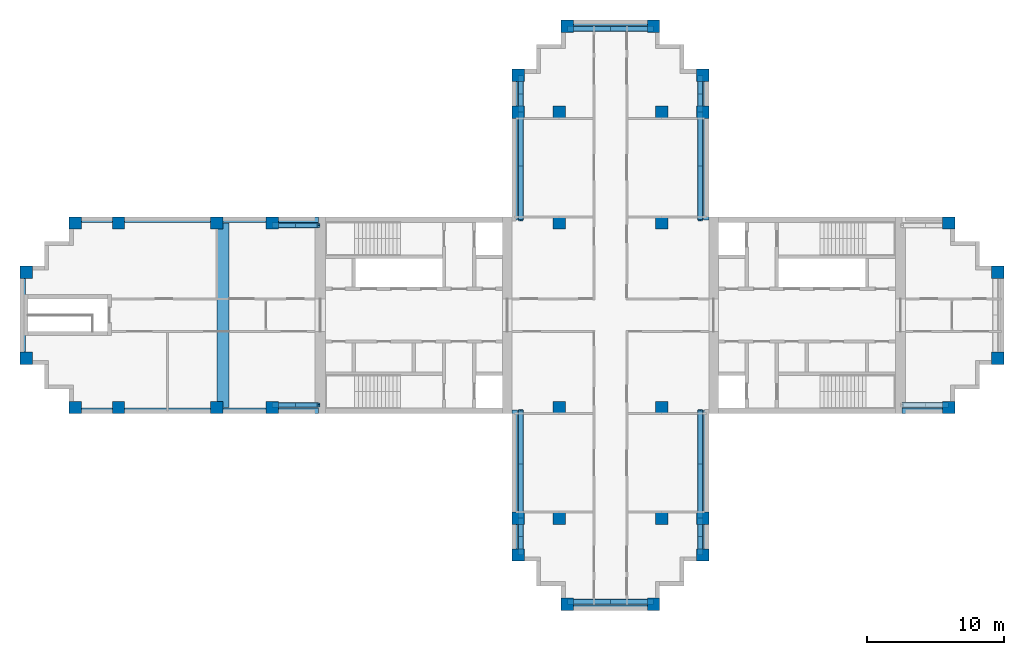
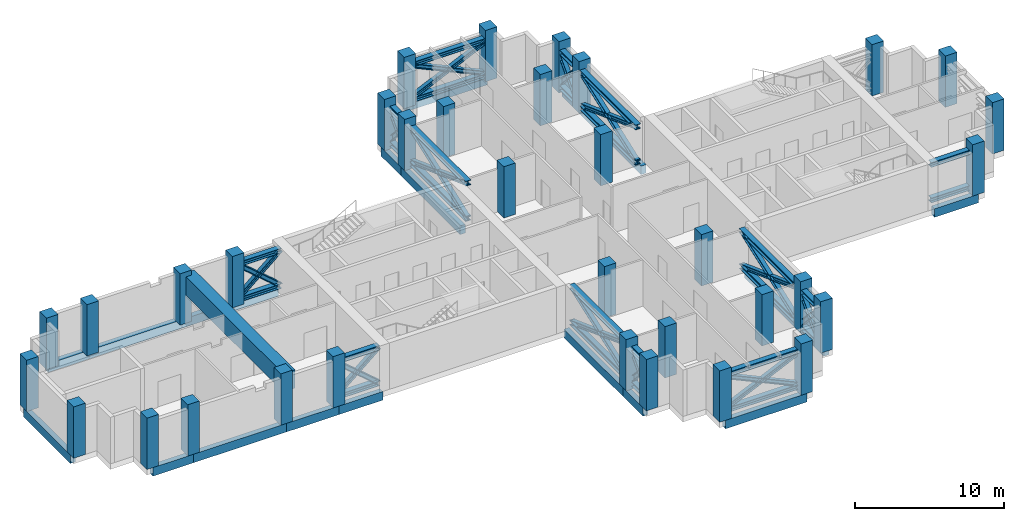
# One storey, part 1 of 8: 50 members, 34 columns, 21 beams.
"""IFC4 building model written with IfcOpenShell, lengths in metres."""

from ifc_helpers import new_model, si_unit, direction, frame, origin, origin_2d, place, context, subcontext, project, spatial, rectangle, i_section, extrude, material, material_profile, profile_set, type_object, element, save


model = new_model("IFC4")

# Units and contexts
model_context = context("Model", 3, precision=1e-05, world=origin(), true_north=direction((0.0, 1.0)))
body_context = subcontext(model_context, "Body", "Model", "MODEL_VIEW")
ifc_project = project(units=[si_unit("LENGTHUNIT", "METRE"), si_unit("AREAUNIT", "SQUARE_METRE"), si_unit("VOLUMEUNIT", "CUBIC_METRE"), si_unit("PLANEANGLEUNIT", "RADIAN"), si_unit("MASSUNIT", "GRAM", prefix="KILO")], contexts=[model_context])

# Site, building, storey
site_placement = place(None, origin())
site = spatial("IfcSite", under=ifc_project, at=site_placement, CompositionType="ELEMENT")
building_placement = place(site_placement, origin())
building = spatial("IfcBuilding", under=site, at=building_placement, Name="Fustian Cross Tower", CompositionType="ELEMENT")
storey_placement = place(building_placement, frame((0.0, 0.0, 194.699951171875)))
storey = spatial("IfcBuildingStorey", under=building, at=storey_placement, Name="L61", CompositionType="ELEMENT", Elevation=194.699951171875)

# Columns
ifc_material_1 = material(Name="Concrete C40/50", Category="concrete")
ifc_material_profile_1 = material_profile(ifc_material_1, rectangle(XDim=0.89990234375, YDim=0.89990234375, at=origin_2d()), Name="RC 900x900")
ifc_profile_set_1 = profile_set([ifc_material_profile_1], Name="Concrete C40/50")
column_type = type_object("IfcColumnType", Name="COLUMN RC 900x900 C40/50", PredefinedType="COLUMN", material=ifc_profile_set_1)
for number, where, z_axis, x_axis, name in (
    (1, (-42.75, -3.14990234375, 0.0), (0.0, 0.0, 1.0), (1.0, 0.0, 0.0), "COLUMN 001"),
    (2, (-42.75, 3.14990234375, 0.0), (0.0, 0.0, 1.0), (1.0, 0.0, 0.0), "COLUMN 002"),
    (3, (-39.14990234375, -6.75, 0.0), (0.0, 0.0, 1.0), (1.0, 0.0, 0.0), "COLUMN 003"),
    (4, (-39.14990234375, 6.75, 0.0), (0.0, 0.0, 1.0), (1.0, 0.0, 0.0), "COLUMN 004"),
    (5, (-36.0, -6.75, 0.0), (0.0, 0.0, 1.0), (1.0, 0.0, 0.0), "COLUMN 005"),
    (6, (-36.0, 6.75, 0.0), (0.0, 0.0, 1.0), (1.0, 0.0, 0.0), "COLUMN 006"),
    (7, (-28.800048828125, -6.75, 0.0), (0.0, 0.0, 1.0), (1.0, 0.0, 0.0), "COLUMN 007"),
    (8, (-28.800048828125, 6.75, 0.0), (0.0, 0.0, 1.0), (1.0, 0.0, 0.0), "COLUMN 010"),
    (9, (-24.75, -6.75, 0.0), (0.0, 0.0, 1.0), (1.0, 0.0, 0.0), "COLUMN 011"),
    (10, (-24.75, 6.75, 0.0), (0.0, 0.0, 1.0), (1.0, 0.0, 0.0), "COLUMN 012"),
    (11, (-6.75, -17.550048828125, 0.0), (0.0, 0.0, 1.0), (1.0, 0.0, 0.0), "COLUMN 017"),
    (12, (-6.75, -14.85009765625, 0.0), (0.0, 0.0, 1.0), (1.0, 0.0, 0.0), "COLUMN 018"),
    (13, (-6.75, 14.85009765625, 0.0), (0.0, 0.0, 1.0), (1.0, 0.0, 0.0), "COLUMN 019"),
    (14, (-6.75, 17.550048828125, 0.0), (0.0, 0.0, 1.0), (1.0, 0.0, 0.0), "COLUMN 020"),
    (15, (-3.75, -14.85009765625, 0.0), (0.0, 0.0, 1.0), (1.0, 0.0, 0.0), "COLUMN 025"),
    (16, (-3.75, -6.75, 0.0), (0.0, 0.0, 1.0), (1.0, 0.0, 0.0), "COLUMN 026"),
    (17, (-3.75, 6.75, 0.0), (0.0, 0.0, 1.0), (1.0, 0.0, 0.0), "COLUMN 027"),
    (18, (-3.75, 14.85009765625, 0.0), (0.0, 0.0, 1.0), (1.0, 0.0, 0.0), "COLUMN 028"),
    (19, (-3.14990234375, -21.14990234375, 0.0), (0.0, 0.0, 1.0), (1.0, 0.0, 0.0), "COLUMN 030"),
    (20, (-3.14990234375, 21.14990234375, 0.0), (0.0, 0.0, 1.0), (1.0, 0.0, 0.0), "COLUMN 031"),
    (21, (3.14990234375, -21.14990234375, 0.0), (0.0, 0.0, 1.0), (1.0, 0.0, 0.0), "COLUMN 034"),
    (22, (3.14990234375, 21.14990234375, 0.0), (0.0, 0.0, 1.0), (1.0, 0.0, 0.0), "COLUMN 035"),
    (23, (3.75, -14.85009765625, 0.0), (0.0, 0.0, 1.0), (1.0, 0.0, 0.0), "COLUMN 037"),
    (24, (3.75, -6.75, 0.0), (0.0, 0.0, 1.0), (1.0, 0.0, 0.0), "COLUMN 038"),
    (25, (3.75, 6.75, 0.0), (0.0, 0.0, 1.0), (1.0, 0.0, 0.0), "COLUMN 039"),
    (26, (3.75, 14.85009765625, 0.0), (0.0, 0.0, 1.0), (1.0, 0.0, 0.0), "COLUMN 040"),
    (27, (6.75, -17.550048828125, 0.0), (0.0, 0.0, 1.0), (1.0, 0.0, 0.0), "COLUMN 045"),
    (28, (6.75, -14.85009765625, 0.0), (0.0, 0.0, 1.0), (1.0, 0.0, 0.0), "COLUMN 046"),
    (29, (6.75, 14.85009765625, 0.0), (0.0, 0.0, 1.0), (1.0, 0.0, 0.0), "COLUMN 047"),
    (30, (6.75, 17.550048828125, 0.0), (0.0, 0.0, 1.0), (1.0, 0.0, 0.0), "COLUMN 048"),
    (31, (24.75, -6.75, 0.0), (0.0, 0.0, 1.0), (1.0, 0.0, 0.0), "COLUMN 053"),
    (32, (24.75, 6.75, 0.0), (0.0, 0.0, 1.0), (1.0, 0.0, 0.0), "COLUMN 054"),
    (33, (28.35009765625, -3.14990234375, 0.0), (0.0, 0.0, 1.0), (1.0, 0.0, 0.0), "COLUMN 056"),
    (34, (28.35009765625, 3.14990234375, 0.0), (0.0, 0.0, 1.0), (1.0, 0.0, 0.0), "COLUMN 057"),
):
    element("IfcColumn", number, at=place(storey_placement, frame(where, z_axis=z_axis, x_axis=x_axis)), inside=storey, type_object=column_type, Name=name, PredefinedType="COLUMN", context=body_context, shape_type="SweptSolid", body=[
        extrude(rectangle(XDim=0.89990234375, YDim=0.89990234375, at=origin_2d()), origin(), (0.0, 0.0, 1.0), 4.199951171875),
    ])

# Members
ifc_material_2 = material(Name="Steel S355", Category="steel")
ifc_material_profile_2 = material_profile(ifc_material_2, i_section(OverallWidth=0.314453125, OverallDepth=0.33984375, WebThickness=0.01904296875, FlangeThickness=0.031494140625, FilletRadius=0.01513671875, at=origin_2d()), Name="UC 305x305x198")
ifc_profile_set_2 = profile_set([ifc_material_profile_2], Name="Steel S355")
member_type_1 = type_object("IfcMemberType", Name="BELT TRUSS BRACE UC 305x305x198 S355", PredefinedType="BRACE", material=ifc_profile_set_2)
for number, where, z_axis, x_axis, name in (
    (35, (6.570068359375, 6.949951171875, 0.400146484375), (0.0, 0.938632007757, 0.344920213982), (-1.0, 0.0, 0.0), "BELT TRUSS BRACE L61-04X"),
    (36, (6.570068359375, 6.949951171875, 3.30322265625), (0.0, 0.938632007757, -0.344920213982), (-1.0, 0.0, 0.0), "BELT TRUSS BRACE L61-04Y"),
):
    element("IfcMember", number, at=place(storey_placement, frame(where, z_axis=z_axis, x_axis=x_axis)), inside=storey, type_object=member_type_1, Name=name, PredefinedType="BRACE", context=body_context, shape_type="SweptSolid", body=[
        extrude(i_section(OverallWidth=0.314453125, OverallDepth=0.33984375, WebThickness=0.01904296875, FlangeThickness=0.031494140625, FilletRadius=0.01513671875, at=origin_2d()), origin(), (0.0, 0.0, 1.0), 8.416748046875),
    ])
for number, where, z_axis, x_axis, name in (
    (37, (6.570068359375, 14.85009765625, 0.400146484375), (0.0, 0.681024859792, 0.732260295486), (-1.0, 0.0, 0.0), "BELT TRUSS BRACE L61-05X"),
    (38, (6.570068359375, 14.85009765625, 3.30322265625), (0.0, 0.681024859792, -0.732260295486), (-1.0, 0.0, 0.0), "BELT TRUSS BRACE L61-05Y"),
):
    element("IfcMember", number, at=place(storey_placement, frame(where, z_axis=z_axis, x_axis=x_axis)), inside=storey, type_object=member_type_1, Name=name, PredefinedType="BRACE", context=body_context, shape_type="SweptSolid", body=[
        extrude(i_section(OverallWidth=0.314453125, OverallDepth=0.33984375, WebThickness=0.01904296875, FlangeThickness=0.031494140625, FilletRadius=0.01513671875, at=origin_2d()), origin(), (0.0, 0.0, 1.0), 3.964599609375),
    ])
for number, where, z_axis, x_axis, name in (
    (39, (3.14990234375, 20.969970703125, 0.400146484375), (-0.908207488438, 0.0, 0.418520200163), (0.0, -1.0, 0.0), "BELT TRUSS BRACE L61-06X"),
    (40, (3.14990234375, 20.969970703125, 3.30322265625), (-0.908207488438, 0.0, -0.418520200163), (0.0, -1.0, 0.0), "BELT TRUSS BRACE L61-06Y"),
):
    element("IfcMember", number, at=place(storey_placement, frame(where, z_axis=z_axis, x_axis=x_axis)), inside=storey, type_object=member_type_1, Name=name, PredefinedType="BRACE", context=body_context, shape_type="SweptSolid", body=[
        extrude(i_section(OverallWidth=0.314453125, OverallDepth=0.33984375, WebThickness=0.01904296875, FlangeThickness=0.031494140625, FilletRadius=0.01513671875, at=origin_2d()), origin(), (0.0, 0.0, 1.0), 6.9365234375),
    ])
for number, where, z_axis, x_axis, name in (
    (41, (-6.570068359375, 17.550048828125, 0.400146484375), (0.0, -0.681024859792, 0.732260295486), (1.0, 0.0, 0.0), "BELT TRUSS BRACE L61-07X"),
    (42, (-6.570068359375, 17.550048828125, 3.30322265625), (0.0, -0.681024859792, -0.732260295486), (1.0, 0.0, 0.0), "BELT TRUSS BRACE L61-07Y"),
):
    element("IfcMember", number, at=place(storey_placement, frame(where, z_axis=z_axis, x_axis=x_axis)), inside=storey, type_object=member_type_1, Name=name, PredefinedType="BRACE", context=body_context, shape_type="SweptSolid", body=[
        extrude(i_section(OverallWidth=0.314453125, OverallDepth=0.33984375, WebThickness=0.01904296875, FlangeThickness=0.031494140625, FilletRadius=0.01513671875, at=origin_2d()), origin(), (0.0, 0.0, 1.0), 3.964599609375),
    ])
for number, where, z_axis, x_axis, name in (
    (43, (-6.570068359375, 14.85009765625, 0.400146484375), (0.0, -0.938632007757, 0.344920213982), (1.0, 0.0, 0.0), "BELT TRUSS BRACE L61-08X"),
    (44, (-6.570068359375, 14.85009765625, 3.30322265625), (0.0, -0.938632007757, -0.344920213982), (1.0, 0.0, 0.0), "BELT TRUSS BRACE L61-08Y"),
):
    element("IfcMember", number, at=place(storey_placement, frame(where, z_axis=z_axis, x_axis=x_axis)), inside=storey, type_object=member_type_1, Name=name, PredefinedType="BRACE", context=body_context, shape_type="SweptSolid", body=[
        extrude(i_section(OverallWidth=0.314453125, OverallDepth=0.33984375, WebThickness=0.01904296875, FlangeThickness=0.031494140625, FilletRadius=0.01513671875, at=origin_2d()), origin(), (0.0, 0.0, 1.0), 8.416748046875),
    ])
for number, where, z_axis, x_axis, name in (
    (45, (-21.35009765625, 6.570068359375, 0.400146484375), (-0.760484913175, 0.0, 0.649355601218), (0.0, -1.0, 0.0), "BELT TRUSS BRACE L61-09X"),
    (46, (-21.35009765625, 6.570068359375, 3.30322265625), (-0.760484913175, 0.0, -0.649355601218), (0.0, -1.0, 0.0), "BELT TRUSS BRACE L61-09Y"),
    (47, (-24.75, -6.570068359375, 0.400146484375), (0.760484913175, 0.0, 0.649355601218), (0.0, 1.0, 0.0), "BELT TRUSS BRACE L61-10X"),
    (48, (-24.75, -6.570068359375, 3.30322265625), (0.760484913175, 0.0, -0.649355601218), (0.0, 1.0, 0.0), "BELT TRUSS BRACE L61-10Y"),
):
    element("IfcMember", number, at=place(storey_placement, frame(where, z_axis=z_axis, x_axis=x_axis)), inside=storey, type_object=member_type_1, Name=name, PredefinedType="BRACE", context=body_context, shape_type="SweptSolid", body=[
        extrude(i_section(OverallWidth=0.314453125, OverallDepth=0.33984375, WebThickness=0.01904296875, FlangeThickness=0.031494140625, FilletRadius=0.01513671875, at=origin_2d()), origin(), (0.0, 0.0, 1.0), 4.470703125),
    ])
for number, where, z_axis, x_axis, name in (
    (49, (-6.570068359375, -6.949951171875, 0.400146484375), (0.0, -0.938632007757, 0.344920213982), (1.0, 0.0, 0.0), "BELT TRUSS BRACE L61-11X"),
    (50, (-6.570068359375, -6.949951171875, 3.30322265625), (0.0, -0.938632007757, -0.344920213982), (1.0, 0.0, 0.0), "BELT TRUSS BRACE L61-11Y"),
):
    element("IfcMember", number, at=place(storey_placement, frame(where, z_axis=z_axis, x_axis=x_axis)), inside=storey, type_object=member_type_1, Name=name, PredefinedType="BRACE", context=body_context, shape_type="SweptSolid", body=[
        extrude(i_section(OverallWidth=0.314453125, OverallDepth=0.33984375, WebThickness=0.01904296875, FlangeThickness=0.031494140625, FilletRadius=0.01513671875, at=origin_2d()), origin(), (0.0, 0.0, 1.0), 8.416748046875),
    ])
for number, where, z_axis, x_axis, name in (
    (51, (-6.570068359375, -14.85009765625, 0.400146484375), (0.0, -0.681024859792, 0.732260295486), (1.0, 0.0, 0.0), "BELT TRUSS BRACE L61-12X"),
    (52, (-6.570068359375, -14.85009765625, 3.30322265625), (0.0, -0.681024859792, -0.732260295486), (1.0, 0.0, 0.0), "BELT TRUSS BRACE L61-12Y"),
):
    element("IfcMember", number, at=place(storey_placement, frame(where, z_axis=z_axis, x_axis=x_axis)), inside=storey, type_object=member_type_1, Name=name, PredefinedType="BRACE", context=body_context, shape_type="SweptSolid", body=[
        extrude(i_section(OverallWidth=0.314453125, OverallDepth=0.33984375, WebThickness=0.01904296875, FlangeThickness=0.031494140625, FilletRadius=0.01513671875, at=origin_2d()), origin(), (0.0, 0.0, 1.0), 3.964599609375),
    ])
for number, where, z_axis, x_axis, name in (
    (53, (-3.14990234375, -20.969970703125, 0.400146484375), (0.908207488438, 0.0, 0.418520200163), (0.0, 1.0, 0.0), "BELT TRUSS BRACE L61-13X"),
    (54, (-3.14990234375, -20.969970703125, 3.30322265625), (0.908207488438, 0.0, -0.418520200163), (0.0, 1.0, 0.0), "BELT TRUSS BRACE L61-13Y"),
):
    element("IfcMember", number, at=place(storey_placement, frame(where, z_axis=z_axis, x_axis=x_axis)), inside=storey, type_object=member_type_1, Name=name, PredefinedType="BRACE", context=body_context, shape_type="SweptSolid", body=[
        extrude(i_section(OverallWidth=0.314453125, OverallDepth=0.33984375, WebThickness=0.01904296875, FlangeThickness=0.031494140625, FilletRadius=0.01513671875, at=origin_2d()), origin(), (0.0, 0.0, 1.0), 6.9365234375),
    ])
for number, where, z_axis, x_axis, name in (
    (55, (6.570068359375, -17.550048828125, 0.400146484375), (0.0, 0.681024859792, 0.732260295486), (-1.0, 0.0, 0.0), "BELT TRUSS BRACE L61-14X"),
    (56, (6.570068359375, -17.550048828125, 3.30322265625), (0.0, 0.681024859792, -0.732260295486), (-1.0, 0.0, 0.0), "BELT TRUSS BRACE L61-14Y"),
):
    element("IfcMember", number, at=place(storey_placement, frame(where, z_axis=z_axis, x_axis=x_axis)), inside=storey, type_object=member_type_1, Name=name, PredefinedType="BRACE", context=body_context, shape_type="SweptSolid", body=[
        extrude(i_section(OverallWidth=0.314453125, OverallDepth=0.33984375, WebThickness=0.01904296875, FlangeThickness=0.031494140625, FilletRadius=0.01513671875, at=origin_2d()), origin(), (0.0, 0.0, 1.0), 3.964599609375),
    ])
for number, where, z_axis, x_axis, name in (
    (57, (6.570068359375, -14.85009765625, 0.400146484375), (0.0, 0.938632007757, 0.344920213982), (-1.0, 0.0, 0.0), "BELT TRUSS BRACE L61-15X"),
    (58, (6.570068359375, -14.85009765625, 3.30322265625), (0.0, 0.938632007757, -0.344920213982), (-1.0, 0.0, 0.0), "BELT TRUSS BRACE L61-15Y"),
):
    element("IfcMember", number, at=place(storey_placement, frame(where, z_axis=z_axis, x_axis=x_axis)), inside=storey, type_object=member_type_1, Name=name, PredefinedType="BRACE", context=body_context, shape_type="SweptSolid", body=[
        extrude(i_section(OverallWidth=0.314453125, OverallDepth=0.33984375, WebThickness=0.01904296875, FlangeThickness=0.031494140625, FilletRadius=0.01513671875, at=origin_2d()), origin(), (0.0, 0.0, 1.0), 8.416748046875),
    ])
ifc_material_3 = material(Name="Steel S355", Category="steel")
ifc_material_profile_3 = material_profile(ifc_material_3, i_section(OverallWidth=0.39892578125, OverallDepth=0.3935546875, WebThickness=0.022705078125, FlangeThickness=0.03662109375, FilletRadius=0.01513671875, at=origin_2d()), Name="UC 356x406x287")
ifc_profile_set_3 = profile_set([ifc_material_profile_3], Name="Steel S355")
member_type_2 = type_object("IfcMemberType", Name="BELT TRUSS CHORD UC 356x406x287 S355", PredefinedType="CHORD", material=ifc_profile_set_3)
for number, where, z_axis, x_axis, name in (
    (59, (21.35009765625, -6.570068359375, 3.30322265625), (1.0, 0.0, 0.0), (0.0, 1.0, 0.0), "BELT TRUSS CHORD L61-01"),
    (60, (21.35009765625, -6.570068359375, 0.400146484375), (1.0, 0.0, 0.0), (0.0, 1.0, 0.0), "BELT TRUSS CHORD L61-01"),
):
    element("IfcMember", number, at=place(storey_placement, frame(where, z_axis=z_axis, x_axis=x_axis)), inside=storey, type_object=member_type_2, Name=name, PredefinedType="CHORD", context=body_context, shape_type="SweptSolid", body=[
        extrude(i_section(OverallWidth=0.39892578125, OverallDepth=0.3935546875, WebThickness=0.022705078125, FlangeThickness=0.03662109375, FilletRadius=0.01513671875, at=origin_2d()), origin(), (0.0, 0.0, 1.0), 3.39990234375),
    ])
for number, where, z_axis, x_axis, name in (
    (61, (6.570068359375, 6.949951171875, 3.30322265625), (0.0, 1.0, 0.0), (-1.0, 0.0, 0.0), "BELT TRUSS CHORD L61-04"),
    (62, (6.570068359375, 6.949951171875, 0.400146484375), (0.0, 1.0, 0.0), (-1.0, 0.0, 0.0), "BELT TRUSS CHORD L61-04"),
):
    element("IfcMember", number, at=place(storey_placement, frame(where, z_axis=z_axis, x_axis=x_axis)), inside=storey, type_object=member_type_2, Name=name, PredefinedType="CHORD", context=body_context, shape_type="SweptSolid", body=[
        extrude(i_section(OverallWidth=0.39892578125, OverallDepth=0.3935546875, WebThickness=0.022705078125, FlangeThickness=0.03662109375, FilletRadius=0.01513671875, at=origin_2d()), origin(), (0.0, 0.0, 1.0), 7.900146484375),
    ])
for number, where, z_axis, x_axis, name in (
    (63, (6.570068359375, 14.85009765625, 3.30322265625), (0.0, 1.0, 0.0), (-1.0, 0.0, 0.0), "BELT TRUSS CHORD L61-05"),
    (64, (6.570068359375, 14.85009765625, 0.400146484375), (0.0, 1.0, 0.0), (-1.0, 0.0, 0.0), "BELT TRUSS CHORD L61-05"),
):
    element("IfcMember", number, at=place(storey_placement, frame(where, z_axis=z_axis, x_axis=x_axis)), inside=storey, type_object=member_type_2, Name=name, PredefinedType="CHORD", context=body_context, shape_type="SweptSolid", body=[
        extrude(i_section(OverallWidth=0.39892578125, OverallDepth=0.3935546875, WebThickness=0.022705078125, FlangeThickness=0.03662109375, FilletRadius=0.01513671875, at=origin_2d()), origin(), (0.0, 0.0, 1.0), 2.699951171875),
    ])
for number, where, z_axis, x_axis, name in (
    (65, (3.14990234375, 20.969970703125, 3.30322265625), (-1.0, 0.0, 0.0), (0.0, -1.0, 0.0), "BELT TRUSS CHORD L61-06"),
    (66, (3.14990234375, 20.969970703125, 0.400146484375), (-1.0, 0.0, 0.0), (0.0, -1.0, 0.0), "BELT TRUSS CHORD L61-06"),
):
    element("IfcMember", number, at=place(storey_placement, frame(where, z_axis=z_axis, x_axis=x_axis)), inside=storey, type_object=member_type_2, Name=name, PredefinedType="CHORD", context=body_context, shape_type="SweptSolid", body=[
        extrude(i_section(OverallWidth=0.39892578125, OverallDepth=0.3935546875, WebThickness=0.022705078125, FlangeThickness=0.03662109375, FilletRadius=0.01513671875, at=origin_2d()), origin(), (0.0, 0.0, 1.0), 6.2998046875),
    ])
for number, where, z_axis, x_axis, name in (
    (67, (-6.570068359375, 17.550048828125, 3.30322265625), (0.0, -1.0, 0.0), (1.0, 0.0, 0.0), "BELT TRUSS CHORD L61-07"),
    (68, (-6.570068359375, 17.550048828125, 0.400146484375), (0.0, -1.0, 0.0), (1.0, 0.0, 0.0), "BELT TRUSS CHORD L61-07"),
):
    element("IfcMember", number, at=place(storey_placement, frame(where, z_axis=z_axis, x_axis=x_axis)), inside=storey, type_object=member_type_2, Name=name, PredefinedType="CHORD", context=body_context, shape_type="SweptSolid", body=[
        extrude(i_section(OverallWidth=0.39892578125, OverallDepth=0.3935546875, WebThickness=0.022705078125, FlangeThickness=0.03662109375, FilletRadius=0.01513671875, at=origin_2d()), origin(), (0.0, 0.0, 1.0), 2.699951171875),
    ])
for number, where, z_axis, x_axis, name in (
    (69, (-6.570068359375, 14.85009765625, 3.30322265625), (0.0, -1.0, 0.0), (1.0, 0.0, 0.0), "BELT TRUSS CHORD L61-08"),
    (70, (-6.570068359375, 14.85009765625, 0.400146484375), (0.0, -1.0, 0.0), (1.0, 0.0, 0.0), "BELT TRUSS CHORD L61-08"),
):
    element("IfcMember", number, at=place(storey_placement, frame(where, z_axis=z_axis, x_axis=x_axis)), inside=storey, type_object=member_type_2, Name=name, PredefinedType="CHORD", context=body_context, shape_type="SweptSolid", body=[
        extrude(i_section(OverallWidth=0.39892578125, OverallDepth=0.3935546875, WebThickness=0.022705078125, FlangeThickness=0.03662109375, FilletRadius=0.01513671875, at=origin_2d()), origin(), (0.0, 0.0, 1.0), 7.900146484375),
    ])
for number, where, z_axis, x_axis, name in (
    (71, (-21.35009765625, 6.570068359375, 3.30322265625), (-1.0, 0.0, 0.0), (0.0, -1.0, 0.0), "BELT TRUSS CHORD L61-09"),
    (72, (-21.35009765625, 6.570068359375, 0.400146484375), (-1.0, 0.0, 0.0), (0.0, -1.0, 0.0), "BELT TRUSS CHORD L61-09"),
    (73, (-24.75, -6.570068359375, 3.30322265625), (1.0, 0.0, 0.0), (0.0, 1.0, 0.0), "BELT TRUSS CHORD L61-10"),
    (74, (-24.75, -6.570068359375, 0.400146484375), (1.0, 0.0, 0.0), (0.0, 1.0, 0.0), "BELT TRUSS CHORD L61-10"),
):
    element("IfcMember", number, at=place(storey_placement, frame(where, z_axis=z_axis, x_axis=x_axis)), inside=storey, type_object=member_type_2, Name=name, PredefinedType="CHORD", context=body_context, shape_type="SweptSolid", body=[
        extrude(i_section(OverallWidth=0.39892578125, OverallDepth=0.3935546875, WebThickness=0.022705078125, FlangeThickness=0.03662109375, FilletRadius=0.01513671875, at=origin_2d()), origin(), (0.0, 0.0, 1.0), 3.39990234375),
    ])
for number, where, z_axis, x_axis, name in (
    (75, (-6.570068359375, -6.949951171875, 3.30322265625), (0.0, -1.0, 0.0), (1.0, 0.0, 0.0), "BELT TRUSS CHORD L61-11"),
    (76, (-6.570068359375, -6.949951171875, 0.400146484375), (0.0, -1.0, 0.0), (1.0, 0.0, 0.0), "BELT TRUSS CHORD L61-11"),
):
    element("IfcMember", number, at=place(storey_placement, frame(where, z_axis=z_axis, x_axis=x_axis)), inside=storey, type_object=member_type_2, Name=name, PredefinedType="CHORD", context=body_context, shape_type="SweptSolid", body=[
        extrude(i_section(OverallWidth=0.39892578125, OverallDepth=0.3935546875, WebThickness=0.022705078125, FlangeThickness=0.03662109375, FilletRadius=0.01513671875, at=origin_2d()), origin(), (0.0, 0.0, 1.0), 7.900146484375),
    ])
for number, where, z_axis, x_axis, name in (
    (77, (-6.570068359375, -14.85009765625, 3.30322265625), (0.0, -1.0, 0.0), (1.0, 0.0, 0.0), "BELT TRUSS CHORD L61-12"),
    (78, (-6.570068359375, -14.85009765625, 0.400146484375), (0.0, -1.0, 0.0), (1.0, 0.0, 0.0), "BELT TRUSS CHORD L61-12"),
):
    element("IfcMember", number, at=place(storey_placement, frame(where, z_axis=z_axis, x_axis=x_axis)), inside=storey, type_object=member_type_2, Name=name, PredefinedType="CHORD", context=body_context, shape_type="SweptSolid", body=[
        extrude(i_section(OverallWidth=0.39892578125, OverallDepth=0.3935546875, WebThickness=0.022705078125, FlangeThickness=0.03662109375, FilletRadius=0.01513671875, at=origin_2d()), origin(), (0.0, 0.0, 1.0), 2.699951171875),
    ])
for number, where, z_axis, x_axis, name in (
    (79, (-3.14990234375, -20.969970703125, 3.30322265625), (1.0, 0.0, 0.0), (0.0, 1.0, 0.0), "BELT TRUSS CHORD L61-13"),
    (80, (-3.14990234375, -20.969970703125, 0.400146484375), (1.0, 0.0, 0.0), (0.0, 1.0, 0.0), "BELT TRUSS CHORD L61-13"),
):
    element("IfcMember", number, at=place(storey_placement, frame(where, z_axis=z_axis, x_axis=x_axis)), inside=storey, type_object=member_type_2, Name=name, PredefinedType="CHORD", context=body_context, shape_type="SweptSolid", body=[
        extrude(i_section(OverallWidth=0.39892578125, OverallDepth=0.3935546875, WebThickness=0.022705078125, FlangeThickness=0.03662109375, FilletRadius=0.01513671875, at=origin_2d()), origin(), (0.0, 0.0, 1.0), 6.2998046875),
    ])
for number, where, z_axis, x_axis, name in (
    (81, (6.570068359375, -17.550048828125, 3.30322265625), (0.0, 1.0, 0.0), (-1.0, 0.0, 0.0), "BELT TRUSS CHORD L61-14"),
    (82, (6.570068359375, -17.550048828125, 0.400146484375), (0.0, 1.0, 0.0), (-1.0, 0.0, 0.0), "BELT TRUSS CHORD L61-14"),
):
    element("IfcMember", number, at=place(storey_placement, frame(where, z_axis=z_axis, x_axis=x_axis)), inside=storey, type_object=member_type_2, Name=name, PredefinedType="CHORD", context=body_context, shape_type="SweptSolid", body=[
        extrude(i_section(OverallWidth=0.39892578125, OverallDepth=0.3935546875, WebThickness=0.022705078125, FlangeThickness=0.03662109375, FilletRadius=0.01513671875, at=origin_2d()), origin(), (0.0, 0.0, 1.0), 2.699951171875),
    ])
for number, where, z_axis, x_axis, name in (
    (83, (6.570068359375, -14.85009765625, 3.30322265625), (0.0, 1.0, 0.0), (-1.0, 0.0, 0.0), "BELT TRUSS CHORD L61-15"),
    (84, (6.570068359375, -14.85009765625, 0.400146484375), (0.0, 1.0, 0.0), (-1.0, 0.0, 0.0), "BELT TRUSS CHORD L61-15"),
):
    element("IfcMember", number, at=place(storey_placement, frame(where, z_axis=z_axis, x_axis=x_axis)), inside=storey, type_object=member_type_2, Name=name, PredefinedType="CHORD", context=body_context, shape_type="SweptSolid", body=[
        extrude(i_section(OverallWidth=0.39892578125, OverallDepth=0.3935546875, WebThickness=0.022705078125, FlangeThickness=0.03662109375, FilletRadius=0.01513671875, at=origin_2d()), origin(), (0.0, 0.0, 1.0), 7.900146484375),
    ])

# Beams
ifc_material_4 = material(Name="Concrete C50/60", Category="concrete")
ifc_material_profile_4 = material_profile(ifc_material_4, rectangle(XDim=0.39990234375, YDim=0.699951171875, at=origin_2d()), Name="RC 400x700")
ifc_profile_set_4 = profile_set([ifc_material_profile_4], Name="Concrete C50/60")
beam_type_1 = type_object("IfcBeamType", Name="EDGE BEAM RC 400x700 C50/60", PredefinedType="SPANDREL", material=ifc_profile_set_4)
beam_1_placement = place(storey_placement, frame((21.35009765625, -7.0, -0.349853515625), z_axis=(1.0, 0.0, 0.0), x_axis=(0.0, 1.0, 0.0)))
element("IfcBeam", 85, at=beam_1_placement, inside=storey, type_object=beam_type_1, Name="EDGE BEAM L61-01", PredefinedType="SPANDREL", context=body_context, shape_type="SweptSolid", body=[
    extrude(rectangle(XDim=0.39990234375, YDim=0.699951171875, at=origin_2d()), origin(), (0.0, 0.0, 1.0), 3.39990234375),
])
beam_2_placement = place(storey_placement, frame((7.0, 6.949951171875, -0.349853515625), z_axis=(0.0, 1.0, 0.0), x_axis=(-1.0, 0.0, 0.0)))
element("IfcBeam", 86, at=beam_2_placement, inside=storey, type_object=beam_type_1, Name="EDGE BEAM L61-04", PredefinedType="SPANDREL", context=body_context, shape_type="SweptSolid", body=[
    extrude(rectangle(XDim=0.39990234375, YDim=0.699951171875, at=origin_2d()), origin(), (0.0, 0.0, 1.0), 7.900146484375),
])
beam_3_placement = place(storey_placement, frame((7.0, 14.85009765625, -0.349853515625), z_axis=(0.0, 1.0, 0.0), x_axis=(-1.0, 0.0, 0.0)))
element("IfcBeam", 87, at=beam_3_placement, inside=storey, type_object=beam_type_1, Name="EDGE BEAM L61-05", PredefinedType="SPANDREL", context=body_context, shape_type="SweptSolid", body=[
    extrude(rectangle(XDim=0.39990234375, YDim=0.699951171875, at=origin_2d()), origin(), (0.0, 0.0, 1.0), 2.699951171875),
])
beam_4_placement = place(storey_placement, frame((3.14990234375, 21.39990234375, -0.349853515625), z_axis=(-1.0, 0.0, 0.0), x_axis=(0.0, -1.0, 0.0)))
element("IfcBeam", 88, at=beam_4_placement, inside=storey, type_object=beam_type_1, Name="EDGE BEAM L61-06", PredefinedType="SPANDREL", context=body_context, shape_type="SweptSolid", body=[
    extrude(rectangle(XDim=0.39990234375, YDim=0.699951171875, at=origin_2d()), origin(), (0.0, 0.0, 1.0), 6.2998046875),
])
beam_5_placement = place(storey_placement, frame((-7.0, 17.550048828125, -0.349853515625), z_axis=(0.0, -1.0, 0.0), x_axis=(1.0, 0.0, 0.0)))
element("IfcBeam", 89, at=beam_5_placement, inside=storey, type_object=beam_type_1, Name="EDGE BEAM L61-07", PredefinedType="SPANDREL", context=body_context, shape_type="SweptSolid", body=[
    extrude(rectangle(XDim=0.39990234375, YDim=0.699951171875, at=origin_2d()), origin(), (0.0, 0.0, 1.0), 2.699951171875),
])
beam_6_placement = place(storey_placement, frame((-7.0, 14.85009765625, -0.349853515625), z_axis=(0.0, -1.0, 0.0), x_axis=(1.0, 0.0, 0.0)))
element("IfcBeam", 90, at=beam_6_placement, inside=storey, type_object=beam_type_1, Name="EDGE BEAM L61-08", PredefinedType="SPANDREL", context=body_context, shape_type="SweptSolid", body=[
    extrude(rectangle(XDim=0.39990234375, YDim=0.699951171875, at=origin_2d()), origin(), (0.0, 0.0, 1.0), 7.900146484375),
])
beam_7_placement = place(storey_placement, frame((-21.35009765625, 7.0, -0.349853515625), z_axis=(-1.0, 0.0, 0.0), x_axis=(0.0, -1.0, 0.0)))
element("IfcBeam", 91, at=beam_7_placement, inside=storey, type_object=beam_type_1, Name="EDGE BEAM L61-09", PredefinedType="SPANDREL", context=body_context, shape_type="SweptSolid", body=[
    extrude(rectangle(XDim=0.39990234375, YDim=0.699951171875, at=origin_2d()), origin(), (0.0, 0.0, 1.0), 3.39990234375),
])
beam_8_placement = place(storey_placement, frame((-24.75, 7.0, -0.349853515625), z_axis=(-1.0, 0.0, 0.0), x_axis=(0.0, -1.0, 0.0)))
element("IfcBeam", 92, at=beam_8_placement, inside=storey, type_object=beam_type_1, Name="EDGE BEAM L61-10", PredefinedType="SPANDREL", context=body_context, shape_type="SweptSolid", body=[
    extrude(rectangle(XDim=0.39990234375, YDim=0.699951171875, at=origin_2d()), origin(), (0.0, 0.0, 1.0), 4.050048828125),
])
beam_9_placement = place(storey_placement, frame((-28.800048828125, 7.0, -0.349853515625), z_axis=(-1.0, 0.0, 0.0), x_axis=(0.0, -1.0, 0.0)))
element("IfcBeam", 93, at=beam_9_placement, inside=storey, type_object=beam_type_1, Name="EDGE BEAM L61-11", PredefinedType="SPANDREL", context=body_context, shape_type="SweptSolid", body=[
    extrude(rectangle(XDim=0.39990234375, YDim=0.699951171875, at=origin_2d()), origin(), (0.0, 0.0, 1.0), 7.199951171875),
])
beam_10_placement = place(storey_placement, frame((-36.0, 7.0, -0.349853515625), z_axis=(-1.0, 0.0, 0.0), x_axis=(0.0, -1.0, 0.0)))
element("IfcBeam", 94, at=beam_10_placement, inside=storey, type_object=beam_type_1, Name="EDGE BEAM L61-12", PredefinedType="SPANDREL", context=body_context, shape_type="SweptSolid", body=[
    extrude(rectangle(XDim=0.39990234375, YDim=0.699951171875, at=origin_2d()), origin(), (0.0, 0.0, 1.0), 3.14990234375),
])
beam_11_placement = place(storey_placement, frame((-43.0, 3.14990234375, -0.349853515625), z_axis=(0.0, -1.0, 0.0), x_axis=(1.0, 0.0, 0.0)))
element("IfcBeam", 95, at=beam_11_placement, inside=storey, type_object=beam_type_1, Name="EDGE BEAM L61-13", PredefinedType="SPANDREL", context=body_context, shape_type="SweptSolid", body=[
    extrude(rectangle(XDim=0.39990234375, YDim=0.699951171875, at=origin_2d()), origin(), (0.0, 0.0, 1.0), 6.2998046875),
])
beam_12_placement = place(storey_placement, frame((-39.14990234375, -7.0, -0.349853515625), z_axis=(1.0, 0.0, 0.0), x_axis=(0.0, 1.0, 0.0)))
element("IfcBeam", 96, at=beam_12_placement, inside=storey, type_object=beam_type_1, Name="EDGE BEAM L61-14", PredefinedType="SPANDREL", context=body_context, shape_type="SweptSolid", body=[
    extrude(rectangle(XDim=0.39990234375, YDim=0.699951171875, at=origin_2d()), origin(), (0.0, 0.0, 1.0), 3.14990234375),
])
beam_13_placement = place(storey_placement, frame((-36.0, -7.0, -0.349853515625), z_axis=(1.0, 0.0, 0.0), x_axis=(0.0, 1.0, 0.0)))
element("IfcBeam", 97, at=beam_13_placement, inside=storey, type_object=beam_type_1, Name="EDGE BEAM L61-15", PredefinedType="SPANDREL", context=body_context, shape_type="SweptSolid", body=[
    extrude(rectangle(XDim=0.39990234375, YDim=0.699951171875, at=origin_2d()), origin(), (0.0, 0.0, 1.0), 7.199951171875),
])
beam_14_placement = place(storey_placement, frame((-28.800048828125, -7.0, -0.349853515625), z_axis=(1.0, 0.0, 0.0), x_axis=(0.0, 1.0, 0.0)))
element("IfcBeam", 98, at=beam_14_placement, inside=storey, type_object=beam_type_1, Name="EDGE BEAM L61-16", PredefinedType="SPANDREL", context=body_context, shape_type="SweptSolid", body=[
    extrude(rectangle(XDim=0.39990234375, YDim=0.699951171875, at=origin_2d()), origin(), (0.0, 0.0, 1.0), 4.050048828125),
])
beam_15_placement = place(storey_placement, frame((-24.75, -7.0, -0.349853515625), z_axis=(1.0, 0.0, 0.0), x_axis=(0.0, 1.0, 0.0)))
element("IfcBeam", 99, at=beam_15_placement, inside=storey, type_object=beam_type_1, Name="EDGE BEAM L61-17", PredefinedType="SPANDREL", context=body_context, shape_type="SweptSolid", body=[
    extrude(rectangle(XDim=0.39990234375, YDim=0.699951171875, at=origin_2d()), origin(), (0.0, 0.0, 1.0), 3.39990234375),
])
beam_16_placement = place(storey_placement, frame((-7.0, -6.949951171875, -0.349853515625), z_axis=(0.0, -1.0, 0.0), x_axis=(1.0, 0.0, 0.0)))
element("IfcBeam", 100, at=beam_16_placement, inside=storey, type_object=beam_type_1, Name="EDGE BEAM L61-18", PredefinedType="SPANDREL", context=body_context, shape_type="SweptSolid", body=[
    extrude(rectangle(XDim=0.39990234375, YDim=0.699951171875, at=origin_2d()), origin(), (0.0, 0.0, 1.0), 7.900146484375),
])
beam_17_placement = place(storey_placement, frame((-7.0, -14.85009765625, -0.349853515625), z_axis=(0.0, -1.0, 0.0), x_axis=(1.0, 0.0, 0.0)))
element("IfcBeam", 101, at=beam_17_placement, inside=storey, type_object=beam_type_1, Name="EDGE BEAM L61-19", PredefinedType="SPANDREL", context=body_context, shape_type="SweptSolid", body=[
    extrude(rectangle(XDim=0.39990234375, YDim=0.699951171875, at=origin_2d()), origin(), (0.0, 0.0, 1.0), 2.699951171875),
])
beam_18_placement = place(storey_placement, frame((-3.14990234375, -21.39990234375, -0.349853515625), z_axis=(1.0, 0.0, 0.0), x_axis=(0.0, 1.0, 0.0)))
element("IfcBeam", 102, at=beam_18_placement, inside=storey, type_object=beam_type_1, Name="EDGE BEAM L61-20", PredefinedType="SPANDREL", context=body_context, shape_type="SweptSolid", body=[
    extrude(rectangle(XDim=0.39990234375, YDim=0.699951171875, at=origin_2d()), origin(), (0.0, 0.0, 1.0), 6.2998046875),
])
beam_19_placement = place(storey_placement, frame((7.0, -17.550048828125, -0.349853515625), z_axis=(0.0, 1.0, 0.0), x_axis=(-1.0, 0.0, 0.0)))
element("IfcBeam", 103, at=beam_19_placement, inside=storey, type_object=beam_type_1, Name="EDGE BEAM L61-21", PredefinedType="SPANDREL", context=body_context, shape_type="SweptSolid", body=[
    extrude(rectangle(XDim=0.39990234375, YDim=0.699951171875, at=origin_2d()), origin(), (0.0, 0.0, 1.0), 2.699951171875),
])
beam_20_placement = place(storey_placement, frame((7.0, -14.85009765625, -0.349853515625), z_axis=(0.0, 1.0, 0.0), x_axis=(-1.0, 0.0, 0.0)))
element("IfcBeam", 104, at=beam_20_placement, inside=storey, type_object=beam_type_1, Name="EDGE BEAM L61-22", PredefinedType="SPANDREL", context=body_context, shape_type="SweptSolid", body=[
    extrude(rectangle(XDim=0.39990234375, YDim=0.699951171875, at=origin_2d()), origin(), (0.0, 0.0, 1.0), 7.900146484375),
])
ifc_material_5 = material(Name="Concrete C60/75", Category="concrete")
ifc_material_profile_5 = material_profile(ifc_material_5, rectangle(XDim=0.89990234375, YDim=1.5, at=origin_2d()), Name="RC 900x1500")
ifc_profile_set_5 = profile_set([ifc_material_profile_5], Name="Concrete C60/75")
beam_type_2 = type_object("IfcBeamType", Name="TRANSFER GIRDER RC 900x1500 C60/75", PredefinedType="BEAM", material=ifc_profile_set_5)
beam_21_placement = place(storey_placement, frame((-28.35009765625, -6.75, 3.050048828125), z_axis=(0.0, 1.0, 0.0), x_axis=(-1.0, 0.0, 0.0)))
element("IfcBeam", 105, at=beam_21_placement, inside=storey, type_object=beam_type_2, Name="TRANSFER GIRDER L61", PredefinedType="BEAM", context=body_context, shape_type="SweptSolid", body=[
    extrude(rectangle(XDim=0.89990234375, YDim=1.5, at=origin_2d()), origin(), (0.0, 0.0, 1.0), 13.5),
])

save(model, "model.ifc")
